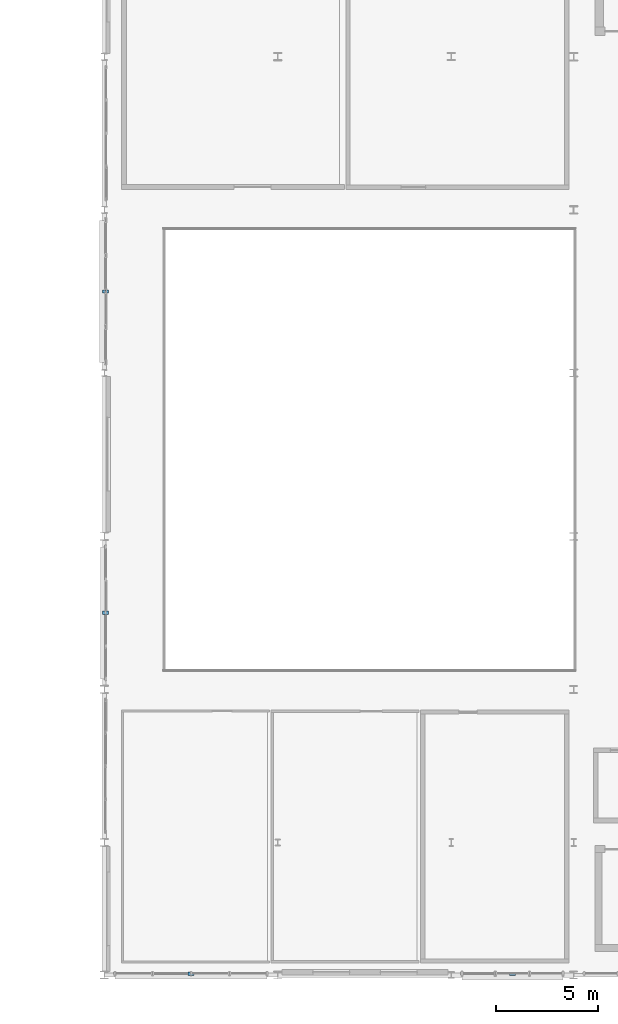
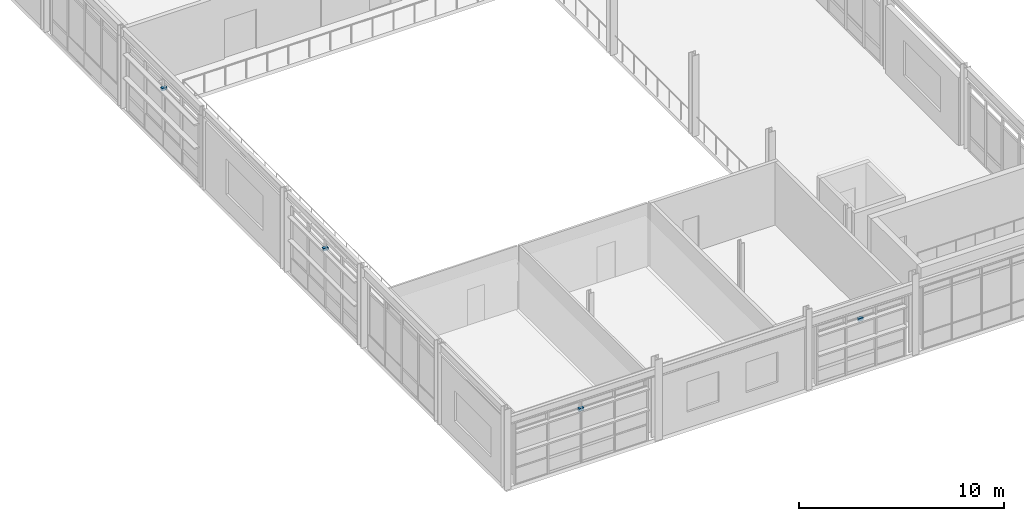
# One storey, part 52 of 56: 4 discrete accessories.
"""IFC4 building model written with IfcOpenShell, lengths in metres."""

from ifc_helpers import new_model, si_unit, direction, frame, origin, origin_2d, place, context, subcontext, project, spatial, rectangle, extrude, material, type_object, element, save


model = new_model("IFC4")

# Units and contexts
model_context = context("Model", 3, precision=1e-05, world=origin(), true_north=direction((0.0, 1.0)))
body_context = subcontext(model_context, "Body", "Model", "MODEL_VIEW")
ifc_project = project(units=[si_unit("LENGTHUNIT", "METRE"), si_unit("AREAUNIT", "SQUARE_METRE"), si_unit("VOLUMEUNIT", "CUBIC_METRE"), si_unit("PLANEANGLEUNIT", "RADIAN"), si_unit("MASSUNIT", "GRAM", prefix="KILO"), si_unit("THERMODYNAMICTEMPERATUREUNIT", "KELVIN"), si_unit("POWERUNIT", "WATT")], contexts=[model_context])

# Site, building, storey
site_placement = place(None, origin())
site = spatial("IfcSite", under=ifc_project, at=site_placement, CompositionType="ELEMENT")
building_placement = place(site_placement, origin())
building = spatial("IfcBuilding", under=site, at=building_placement, Name="Tepalcoro Natatorium and Aquatics Centre", CompositionType="ELEMENT")
storey_placement = place(building_placement, frame((0.0, 0.0, 14.800048828125)))
storey = spatial("IfcBuildingStorey", under=building, at=storey_placement, Name="L03", CompositionType="ELEMENT", Elevation=14.800048828125)

# Discrete accessories
ifc_material_1 = material(Name="Plate Steel ASTM A572 Grade 50 (Fy 345 MPa)", Category="steel")
discrete_accessory_type_1 = type_object("IfcDiscreteAccessoryType", Name="BRK_FACADE_GALV", PredefinedType="BRACKET", material=ifc_material_1)
for number, where, z_axis, x_axis, name in (
    (1, (162.0, 6.561279296875, 2.97802734375), (0.0, 0.0, 1.0), (1.0, 0.0, 0.0), "Solar Shading Outrigger Bracket BRK_FACADE_GALV"),
    (2, (142.05615234375, 40.0, 3.419921875), (0.0, 0.0, 1.0), (1.0, 0.0, 0.0), "Solar Shading Outrigger Bracket BRK_FACADE_GALV"),
):
    element("IfcDiscreteAccessory", number, at=place(storey_placement, frame(where, z_axis=z_axis, x_axis=x_axis)), inside=storey, type_object=discrete_accessory_type_1, Name=name, PredefinedType="BRACKET", context=body_context, shape_type="SweptSolid", body=[
        extrude(rectangle(XDim=0.280029296875, YDim=0.159912109375, at=origin_2d()), origin(), (0.0, 0.0, 1.0), 0.159912109375),
    ])
ifc_material_2 = material(Name="Marine-Grade Brushed Stainless Steel AISI 316L", Category="steel")
discrete_accessory_type_2 = type_object("IfcDiscreteAccessoryType", Name="BRK_SEISMIC_SS", PredefinedType="BRACKET", material=ifc_material_2)
for number, where, z_axis, x_axis, name in (
    (3, (146.25, 6.561279296875, 3.1298828125), (0.0, 0.0, 1.0), (1.0, 0.0, 0.0), "Solar Shading Outrigger Bracket BRK_SEISMIC_SS"),
    (4, (142.05615234375, 24.25, 3.419921875), (0.0, 0.0, 1.0), (1.0, 0.0, 0.0), "Solar Shading Outrigger Bracket BRK_SEISMIC_SS"),
):
    element("IfcDiscreteAccessory", number, at=place(storey_placement, frame(where, z_axis=z_axis, x_axis=x_axis)), inside=storey, type_object=discrete_accessory_type_2, Name=name, PredefinedType="BRACKET", context=body_context, shape_type="SweptSolid", body=[
        extrude(rectangle(XDim=0.280029296875, YDim=0.159912109375, at=origin_2d()), origin(), (0.0, 0.0, 1.0), 0.159912109375),
    ])

save(model, "model.ifc")
